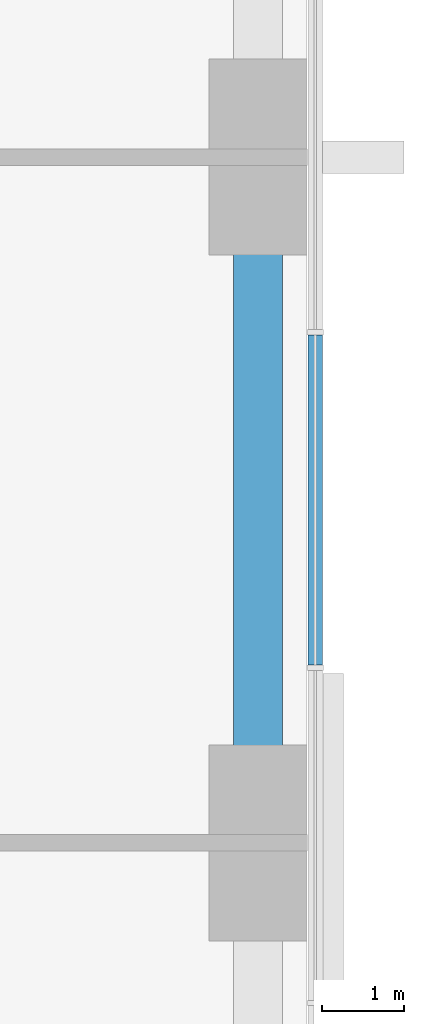
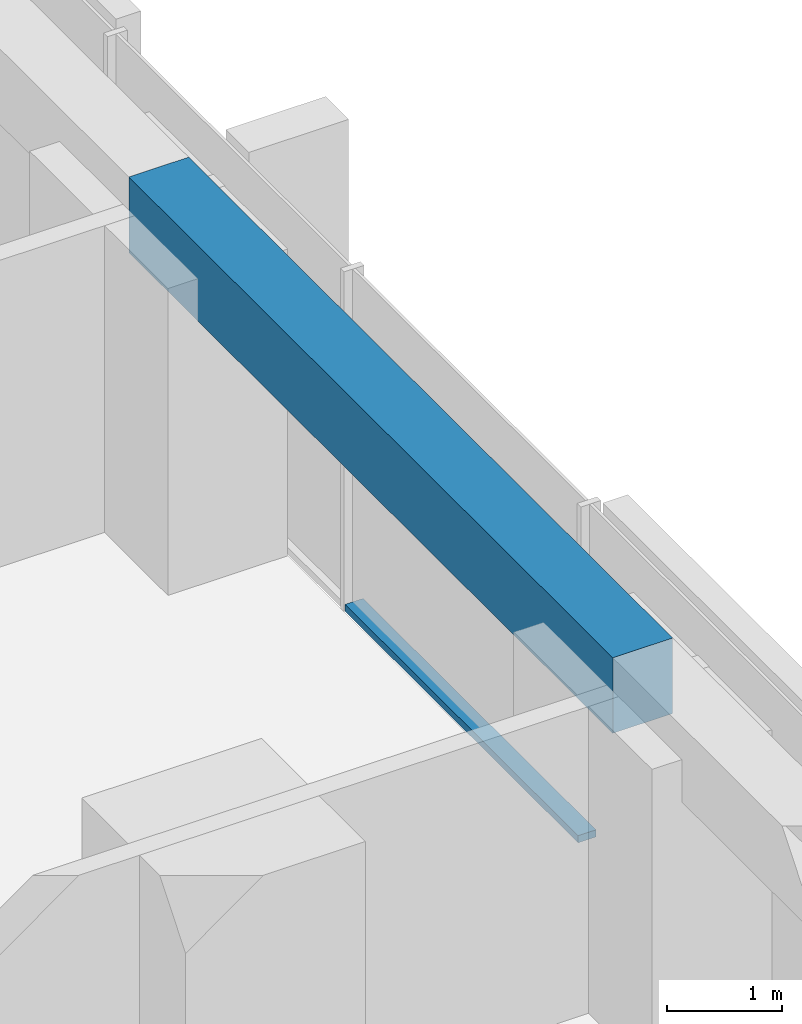
# One storey, part 5 of 17: 1 beam, 1 member, 1 element without a shape of its own.
"""IFC4 building model written with IfcOpenShell, lengths in metres."""

from ifc_helpers import new_model, si_unit, direction, frame, origin, origin_2d, place, context, subcontext, project, spatial, rectangle, extrude, material, material_profile, profile_set, type_object, element, aggregate, save


model = new_model("IFC4")

# Units and contexts
model_context = context("Model", 3, precision=1e-05, world=origin(), true_north=direction((0.0, 1.0)))
body_context = subcontext(model_context, "Body", "Model", "MODEL_VIEW")
ifc_project = project(units=[si_unit("LENGTHUNIT", "METRE"), si_unit("AREAUNIT", "SQUARE_METRE"), si_unit("VOLUMEUNIT", "CUBIC_METRE"), si_unit("PLANEANGLEUNIT", "RADIAN"), si_unit("MASSUNIT", "GRAM", prefix="KILO")], contexts=[model_context])

# Site, building, storey
site_placement = place(None, origin())
site = spatial("IfcSite", under=ifc_project, at=site_placement, CompositionType="ELEMENT")
building_placement = place(site_placement, origin())
building = spatial("IfcBuilding", under=site, at=building_placement, Name="Dunama Terrace Hotel", CompositionType="ELEMENT")
storey_placement = place(building_placement, frame((0.0, 0.0, 37.800048828125)))
storey = spatial("IfcBuildingStorey", under=building, at=storey_placement, Name="L08", CompositionType="ELEMENT", Elevation=37.800048828125)

# Curtain wall, member
ifc_material_1 = material(Name="Aluminium curtain wall system", Category="aluminium")
curtain_wall_type = type_object("IfcCurtainWallType", Name="Unitised fritted glass wall CW-A", PredefinedType="NOTDEFINED", material=ifc_material_1)
curtain_wall_placement = place(storey_placement, origin())
curtain_wall = element("IfcCurtainWall", 1, at=curtain_wall_placement, inside=storey, type_object=curtain_wall_type, Name="Unitised fritted glass wall CW-A L08", PredefinedType="NOTDEFINED")
ifc_material_2 = material(Name="Aluminium transom", Category="aluminium")
ifc_material_profile_1 = material_profile(ifc_material_2, rectangle(XDim=0.179931640625, YDim=0.074951171875, at=origin_2d()), Name="CWA TRANSOM 180X75")
ifc_profile_set_1 = profile_set([ifc_material_profile_1], Name="Aluminium transom")
member_type = type_object("IfcMemberType", Name="CWA transom 180x75", PredefinedType="USERDEFINED", material=ifc_profile_set_1)
member_placement = place(storey_placement, frame((58.89990234375, 27.37890625, 0.037353515625), z_axis=(0.0, 1.0, 0.0), x_axis=(-1.0, 0.0, 0.0)))
member = element("IfcMember", 2, at=member_placement, type_object=member_type, Name="CWA transom", ObjectType="TRANSOM", PredefinedType="USERDEFINED", context=body_context, shape_type="SweptSolid", body=[
    extrude(rectangle(XDim=0.179931640625, YDim=0.074951171875, at=origin_2d()), origin(), (0.0, 0.0, 1.0), 4.0419921875),
])
aggregate(curtain_wall, [member])

# Beam
ifc_material_3 = material(Name="Concrete C40/50", Category="concrete")
ifc_material_profile_2 = material_profile(ifc_material_3, rectangle(XDim=0.60009765625, YDim=0.800048828125, at=origin_2d()), Name="RC 600x800")
ifc_profile_set_2 = profile_set([ifc_material_profile_2], Name="Concrete C40/50")
beam_type = type_object("IfcBeamType", Name="Edge beam RC 600x800", PredefinedType="SPANDREL", material=ifc_profile_set_2)
beam_placement = place(storey_placement, frame((58.199951171875, 25.199951171875, 3.199951171875), z_axis=(0.0, 1.0, 0.0), x_axis=(-1.0, 0.0, 0.0)))
element("IfcBeam", 3, at=beam_placement, inside=storey, type_object=beam_type, Name="Edge beam under L09", PredefinedType="SPANDREL", context=body_context, shape_type="SweptSolid", body=[
    extrude(rectangle(XDim=0.60009765625, YDim=0.800048828125, at=origin_2d()), origin(), (0.0, 0.0, 1.0), 8.400146484375),
])

save(model, "model.ifc")
